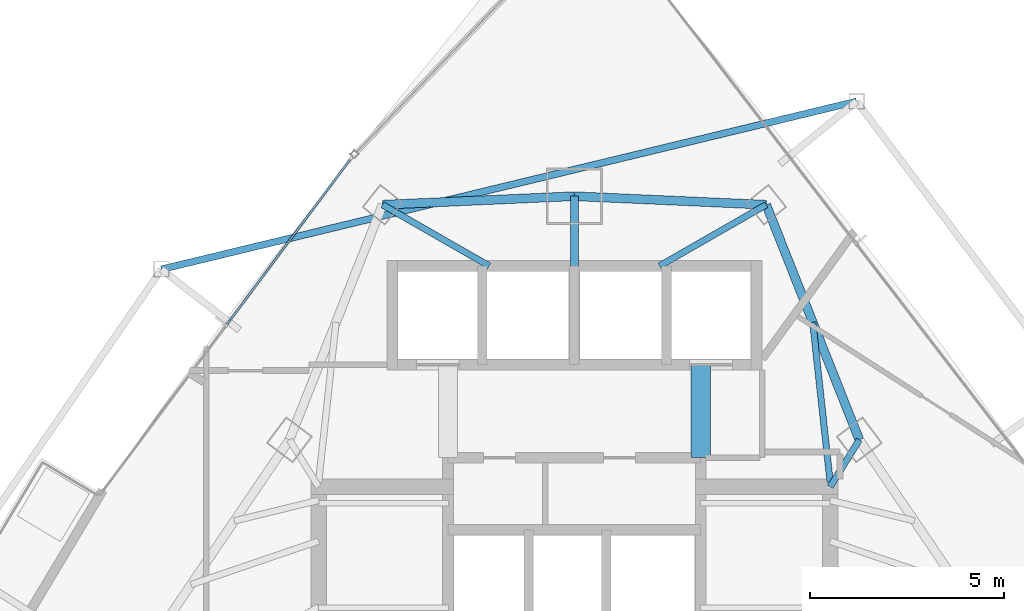
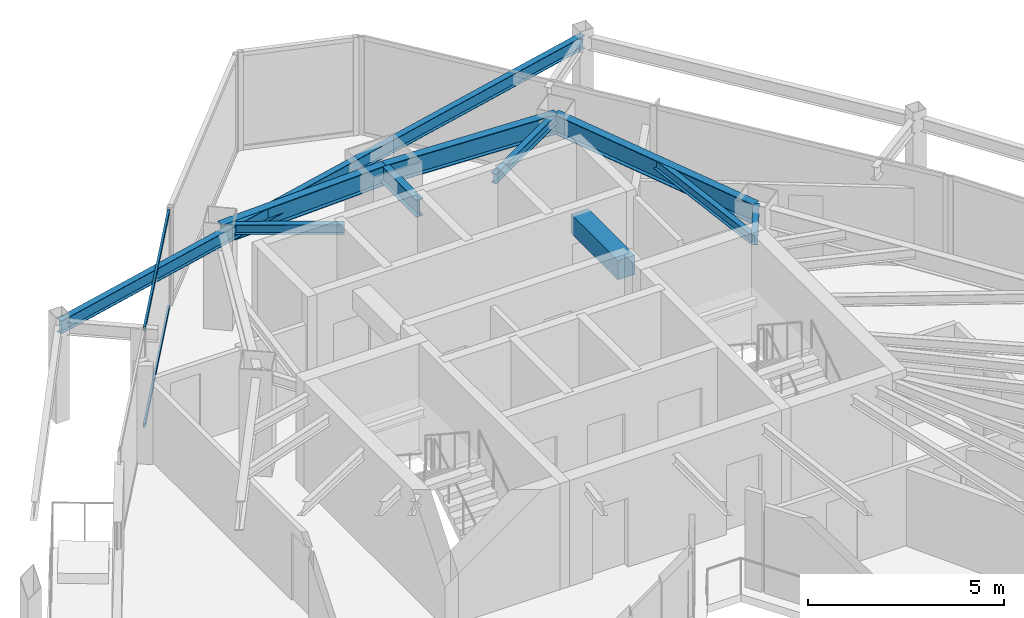
# One storey, part 20 of 29: 10 beams, 2 members, 1 element without a shape of its own.
"""IFC4 building model written with IfcOpenShell, lengths in metres."""

from ifc_helpers import new_model, si_unit, direction, frame, origin, origin_2d, place, context, subcontext, project, spatial, rectangle, hollow_rectangle, i_section, extrude, material, layer, layer_set, material_profile, profile_set, type_object, element, aggregate, save


model = new_model("IFC4")

# Units and contexts
model_context = context("Model", 3, precision=1e-05, world=origin(), true_north=direction((0.0, 1.0)))
body_context = subcontext(model_context, "Body", "Model", "MODEL_VIEW")
ifc_project = project(units=[si_unit("LENGTHUNIT", "METRE"), si_unit("AREAUNIT", "SQUARE_METRE"), si_unit("VOLUMEUNIT", "CUBIC_METRE"), si_unit("PLANEANGLEUNIT", "RADIAN"), si_unit("MASSUNIT", "GRAM", prefix="KILO")], contexts=[model_context])

# Site, building, storey
site_placement = place(None, origin())
site = spatial("IfcSite", under=ifc_project, at=site_placement, CompositionType="ELEMENT")
building_placement = place(site_placement, origin())
building = spatial("IfcBuilding", under=site, at=building_placement, Name="Orvanel Arch Residences", CompositionType="ELEMENT")
storey_placement = place(building_placement, frame((0.0, 0.0, 170.449951171875)))
storey = spatial("IfcBuildingStorey", under=building, at=storey_placement, Name="L48", CompositionType="ELEMENT", Elevation=170.449951171875)

# Beams
ifc_material_1 = material(Name="Structural steel AS/NZS 3679.1 Grade 300 (300 MPa)", Category="steel")
ifc_material_profile_1 = material_profile(ifc_material_1, i_section(OverallWidth=0.208984375, OverallDepth=0.532958984375, WebThickness=0.01025390625, FlangeThickness=0.015625, at=origin_2d()), Name="530UB92.4")
ifc_profile_set_1 = profile_set([ifc_material_profile_1], Name="Structural steel AS/NZS 3679.1 Grade 300 (300 MPa)")
beam_type_1 = type_object("IfcBeamType", Name="BG-530UB", PredefinedType="BEAM", material=ifc_profile_set_1)
beam_1_placement = place(storey_placement, frame((33.0, 39.550048828125, 2.79296875), z_axis=(0.0, 1.0, 0.0), x_axis=(-1.0, 0.0, 0.0)))
element("IfcBeam", 1, at=beam_1_placement, inside=storey, type_object=beam_type_1, Name="L48 North Radial Girder", PredefinedType="BEAM", context=body_context, shape_type="SweptSolid", body=[
    extrude(i_section(OverallWidth=0.208984375, OverallDepth=0.532958984375, WebThickness=0.01025390625, FlangeThickness=0.015625, at=origin_2d()), origin(), (0.0, 0.0, 1.0), 1.847900390625),
])
ifc_material_profile_2 = material_profile(ifc_material_1, i_section(OverallWidth=0.1650390625, OverallDepth=0.303955078125, WebThickness=0.006103515625, FlangeThickness=0.01025390625, at=origin_2d()), Name="310UB40.4")
ifc_profile_set_2 = profile_set([ifc_material_profile_2], Name="Structural steel AS/NZS 3679.1 Grade 300 (300 MPa)")
beam_type_2 = type_object("IfcBeamType", Name="BJ-310UB", PredefinedType="JOIST", material=ifc_profile_set_2)
beam_2_placement = place(storey_placement, frame((39.60009765625, 33.89990234375, 2.907958984375), z_axis=(0.526843290616, 0.84996243866, 0.0), x_axis=(-0.84996243866, 0.526843290616, 0.0)))
element("IfcBeam", 2, at=beam_2_placement, inside=storey, type_object=beam_type_2, Name="L48 NNE Wing Floor Joist", PredefinedType="JOIST", context=body_context, shape_type="SweptSolid", body=[
    extrude(i_section(OverallWidth=0.1650390625, OverallDepth=0.303955078125, WebThickness=0.006103515625, FlangeThickness=0.01025390625, at=origin_2d()), origin(), (0.0, 0.0, 1.0), 1.42724609375),
])
beam_3_placement = place(storey_placement, frame((39.60009765625, 34.02001953125, 2.907958984375), z_axis=(-0.108261441852, 0.99412245735, 0.0), x_axis=(-0.99412245735, -0.108261441852, 0.0)))
element("IfcBeam", 3, at=beam_3_placement, inside=storey, type_object=beam_type_2, Name="L48 NNE2 Wing Floor Joist", PredefinedType="JOIST", context=body_context, shape_type="SweptSolid", body=[
    extrude(i_section(OverallWidth=0.1650390625, OverallDepth=0.303955078125, WebThickness=0.006103515625, FlangeThickness=0.01025390625, at=origin_2d()), origin(), (0.0, 0.0, 1.0), 4.1494140625),
])
for number, where, z_axis, x_axis, name in (
    (4, (30.800048828125, 39.60009765625, 2.907958984375), (-0.86736513383, 0.497672306458, 0.0), (-0.497672306458, -0.86736513383, 0.0), "L48 MNW Wing Floor Joist"),
    (5, (35.199951171875, 39.60009765625, 2.907958984375), (0.86736513383, 0.497672306458, 0.0), (-0.497672306458, 0.86736513383, 0.0), "L48 MNE Wing Floor Joist"),
):
    element("IfcBeam", number, at=place(storey_placement, frame(where, z_axis=z_axis, x_axis=x_axis)), inside=storey, type_object=beam_type_2, Name=name, PredefinedType="JOIST", context=body_context, shape_type="SweptSolid", body=[
        extrude(i_section(OverallWidth=0.1650390625, OverallDepth=0.303955078125, WebThickness=0.006103515625, FlangeThickness=0.01025390625, at=origin_2d()), origin(), (0.0, 0.0, 1.0), 3.17041015625),
    ])
ifc_material_2 = material(Name="Concrete S65 (65 MPa)", Category="concrete")
ifc_material_profile_3 = material_profile(ifc_material_2, rectangle(XDim=0.5, YDim=0.60009765625, at=origin_2d()), Name="RC500x600")
ifc_profile_set_3 = profile_set([ifc_material_profile_3], Name="Concrete S65 (65 MPa)")
beam_type_3 = type_object("IfcBeamType", Name="CB-500x600", PredefinedType="LINTEL", material=ifc_profile_set_3)
beam_4_placement = place(storey_placement, frame((36.260009765625, 34.64990234375, 2.760009765625), z_axis=(0.0, 1.0, 0.0), x_axis=(-1.0, 0.0, 0.0)))
element("IfcBeam", 6, at=beam_4_placement, inside=storey, type_object=beam_type_3, Name="L48 East Core Lobby Coupling Lintel Beam", PredefinedType="LINTEL", context=body_context, shape_type="SweptSolid", body=[
    extrude(rectangle(XDim=0.5, YDim=0.60009765625, at=origin_2d()), origin(), (0.0, 0.0, 1.0), 2.400146484375),
])
ifc_material_profile_4 = material_profile(ifc_material_1, i_section(OverallWidth=0.177978515625, OverallDepth=0.406005859375, WebThickness=0.0078125, FlangeThickness=0.0126953125, at=origin_2d()), Name="410UB59.7")
ifc_profile_set_4 = profile_set([ifc_material_profile_4], Name="Structural steel AS/NZS 3679.1 Grade 300 (300 MPa)")
beam_type_4 = type_object("IfcBeamType", Name="OB-410UB-EXT", PredefinedType="SPANDREL", material=ifc_profile_set_4)
beam_5_placement = place(storey_placement, frame((40.281982421875, 43.843994140625, 2.85693359375), z_axis=(-0.972058271966, -0.23473967688, 0.0), x_axis=(0.23473967688, -0.972058271966, 0.0)))
element("IfcBeam", 7, at=beam_5_placement, inside=storey, type_object=beam_type_4, Name="L48 Outer Perimeter Floor Ring Beam 12", PredefinedType="SPANDREL", context=body_context, shape_type="SweptSolid", body=[
    extrude(i_section(OverallWidth=0.177978515625, OverallDepth=0.406005859375, WebThickness=0.0078125, FlangeThickness=0.0126953125, at=origin_2d()), origin(), (0.0, 0.0, 1.0), 18.45458984375),
])
ifc_material_profile_5 = material_profile(ifc_material_1, i_section(OverallWidth=0.22900390625, OverallDepth=0.612060546875, WebThickness=0.011962890625, FlangeThickness=0.01953125, at=origin_2d()), Name="610UB125")
ifc_profile_set_5 = profile_set([ifc_material_profile_5], Name="Structural steel AS/NZS 3679.1 Grade 300 (300 MPa)")
beam_type_5 = type_object("IfcBeamType", Name="SP-610UB", PredefinedType="SPANDREL", material=ifc_profile_set_5)
beam_6_placement = place(storey_placement, frame((40.35205078125, 35.113037109375, 2.754150390625), z_axis=(-0.368233143579, 0.929733484376, 0.0), x_axis=(-0.929733484376, -0.368233143579, 0.0)))
element("IfcBeam", 8, at=beam_6_placement, inside=storey, type_object=beam_type_5, Name="L48 Perimeter Spandrel Beam 13", PredefinedType="SPANDREL", context=body_context, shape_type="SweptSolid", body=[
    extrude(i_section(OverallWidth=0.22900390625, OverallDepth=0.612060546875, WebThickness=0.011962890625, FlangeThickness=0.01953125, at=origin_2d()), origin(), (0.0, 0.0, 1.0), 6.523193359375),
])
for number, where, z_axis, x_axis, name in (
    (9, (37.949951171875, 41.177978515625, 2.754150390625), (-0.999014049296, 0.044395149614, 0.0), (-0.044395149614, -0.999014049296, 0.0), "L48 Perimeter Spandrel Beam 14"),
    (10, (33.0, 41.39794921875, 2.754150390625), (-0.999014049296, -0.044395149614, 0.0), (0.044395149614, -0.999014049296, 0.0), "L48 Perimeter Spandrel Beam 15"),
):
    element("IfcBeam", number, at=place(storey_placement, frame(where, z_axis=z_axis, x_axis=x_axis)), inside=storey, type_object=beam_type_5, Name=name, PredefinedType="SPANDREL", context=body_context, shape_type="SweptSolid", body=[
        extrude(i_section(OverallWidth=0.22900390625, OverallDepth=0.612060546875, WebThickness=0.011962890625, FlangeThickness=0.01953125, at=origin_2d()), origin(), (0.0, 0.0, 1.0), 4.954833984375),
    ])

# Curtain wall, members
ifc_material_3 = material(Name="Bronze-anodised aluminium AA6063-T6", Category="aluminium")
ifc_layer = layer(ifc_material_3, 0.179931640625)
ifc_layer_set = layer_set([ifc_layer], Name="Bronze-anodised aluminium AA6063-T6")
curtain_wall_type = type_object("IfcCurtainWallType", Name="CW3-MID-SYS", PredefinedType="NOTDEFINED", material=ifc_layer_set)
curtain_wall_placement = place(storey_placement, origin())
curtain_wall = element("IfcCurtainWall", 11, at=curtain_wall_placement, inside=storey, type_object=curtain_wall_type, Name="L48 CW3-MID-SYS Unitised Curtain Wall", PredefinedType="NOTDEFINED")
ifc_material_profile_6 = material_profile(ifc_material_3, hollow_rectangle(XDim=0.06005859375, YDim=0.135009765625, WallThickness=0.00390625, at=origin_2d()), Name="ALU135x60x4")
ifc_profile_set_6 = profile_set([ifc_material_profile_6], Name="Bronze-anodised aluminium AA6063-T6")
member_type = type_object("IfcMemberType", Name="TRN-135x60", PredefinedType="USERDEFINED", material=ifc_profile_set_6)
member_1_placement = place(storey_placement, frame((27.2060546875, 42.3388671875, 0.030029296875), z_axis=(-0.598279362575, -0.801287591516, 0.0), x_axis=(0.801287591516, -0.598279362575, 0.0)))
member_1 = element("IfcMember", 12, at=member_1_placement, type_object=member_type, Name="CW-S3 transom 1.1", ObjectType="TRANSOM", PredefinedType="USERDEFINED", context=body_context, shape_type="SweptSolid", body=[
    extrude(hollow_rectangle(XDim=0.06005859375, YDim=0.135009765625, WallThickness=0.00390625, at=origin_2d()), origin(), (0.0, 0.0, 1.0), 5.2939453125),
])
member_2_placement = place(storey_placement, frame((27.2060546875, 42.3388671875, 3.030029296875), z_axis=(-0.598279362575, -0.801287591516, 0.0), x_axis=(0.801287591516, -0.598279362575, 0.0)))
member_2 = element("IfcMember", 13, at=member_2_placement, type_object=member_type, Name="CW-S3 transom 1.2", ObjectType="TRANSOM", PredefinedType="USERDEFINED", context=body_context, shape_type="SweptSolid", body=[
    extrude(hollow_rectangle(XDim=0.06005859375, YDim=0.135009765625, WallThickness=0.00390625, at=origin_2d()), origin(), (0.0, 0.0, 1.0), 5.2939453125),
])
aggregate(curtain_wall, [member_1, member_2])

save(model, "model.ifc")
